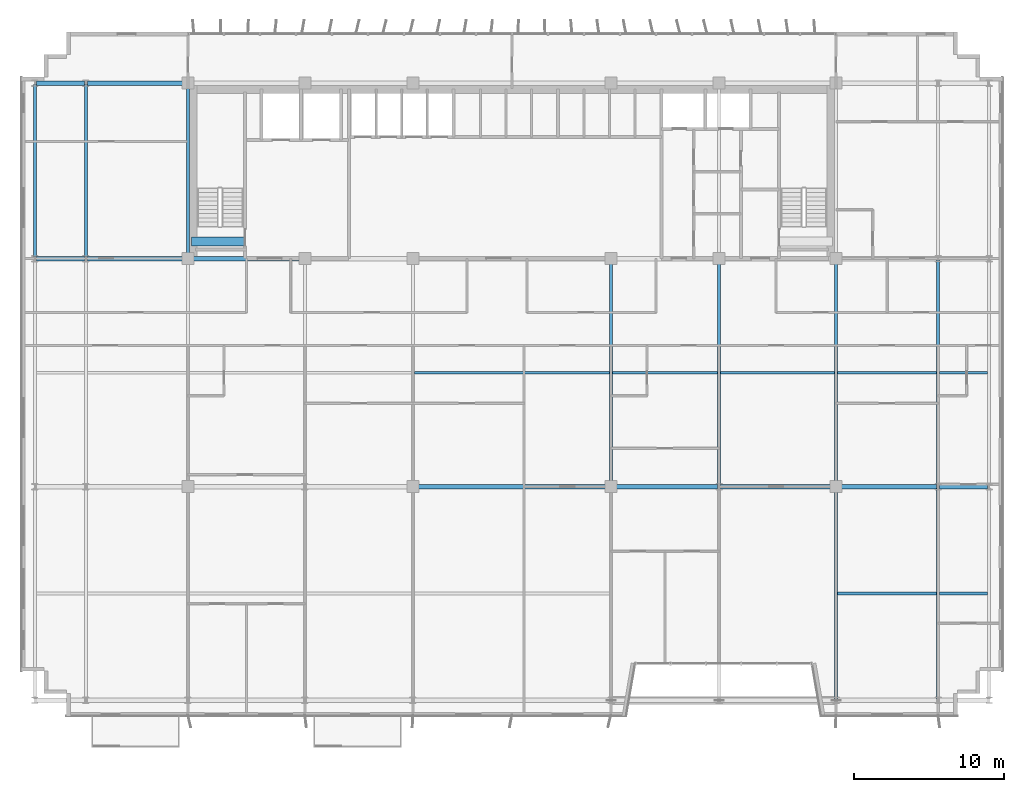
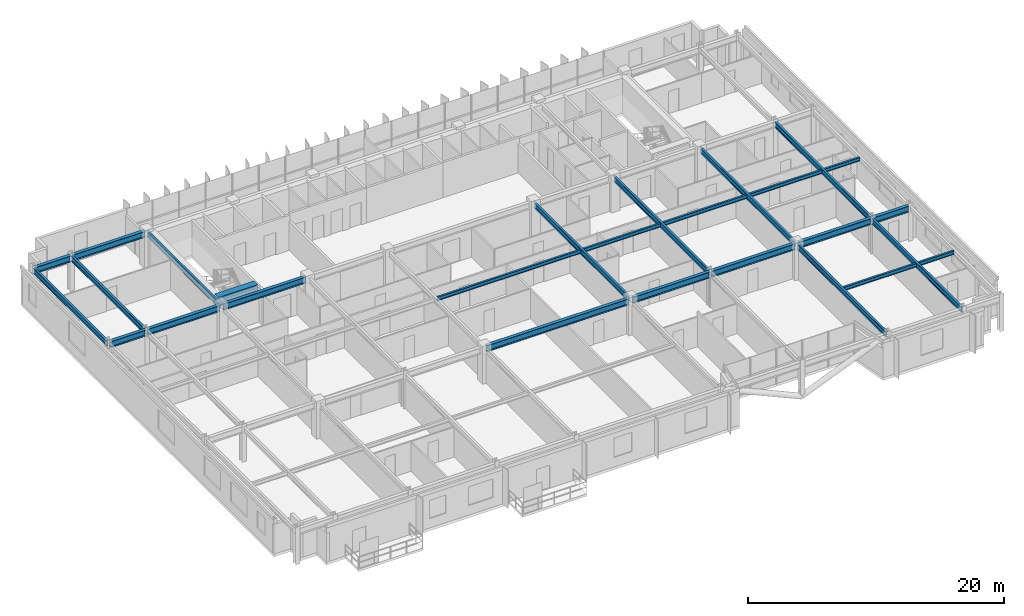
# One storey, part 8 of 26: 27 beams.
"""IFC4 building model written with IfcOpenShell, lengths in metres."""

from ifc_helpers import new_model, si_unit, direction, frame, origin, origin_2d, place, context, subcontext, project, spatial, rectangle, i_section, extrude, source, transform, mapped, material, material_profile, profile_set, type_object, element, save


model = new_model("IFC4")

# Units and contexts
model_context = context("Model", 3, precision=1e-05, world=origin(), true_north=direction((0.0, 1.0)))
body_context = subcontext(model_context, "Body", "Model", "MODEL_VIEW")
ifc_project = project(units=[si_unit("LENGTHUNIT", "METRE"), si_unit("AREAUNIT", "SQUARE_METRE"), si_unit("VOLUMEUNIT", "CUBIC_METRE"), si_unit("PLANEANGLEUNIT", "RADIAN"), si_unit("MASSUNIT", "GRAM", prefix="KILO")], contexts=[model_context])

# Site, building, storey
site_placement = place(None, origin())
site = spatial("IfcSite", under=ifc_project, at=site_placement, CompositionType="ELEMENT")
building_placement = place(site_placement, origin())
building = spatial("IfcBuilding", under=site, at=building_placement, Name="Trelvane Seafront Commons", CompositionType="ELEMENT")
storey_placement = place(building_placement, frame((0.0, 0.0, 124.89990234375)))
storey = spatial("IfcBuildingStorey", under=building, at=storey_placement, Name="L32", CompositionType="ELEMENT", Elevation=124.89990234375)

# Beams
ifc_material_1 = material(Name="Concrete C60/75", Category="concrete")
ifc_material_profile_1 = material_profile(ifc_material_1, rectangle(XDim=0.60009765625, YDim=0.89990234375, at=origin_2d()), Name="RC-600x900")
ifc_profile_set_1 = profile_set([ifc_material_profile_1], Name="Concrete C60/75")
beam_type_1 = type_object("IfcBeamType", Name="STR-LNT-RC600x900", PredefinedType="LINTEL", material=ifc_profile_set_1)
shared_shape_1 = source(origin(), body_context, "Body", "SweptSolid", [
    extrude(rectangle(XDim=0.60009765625, YDim=0.89990234375, at=origin_2d()), origin(), (0.0, 0.0, 1.0), 3.5498046875),
])
beam_1_placement = place(storey_placement, frame((15.85009765625, 34.550048828125, 2.89013671875), z_axis=(1.0, 0.0, 0.0), x_axis=(0.0, 1.0, 0.0)))
element("IfcBeam", 1, at=beam_1_placement, inside=storey, type_object=beam_type_1, Name="L32 Core Coupling Lintel Beam CB-83", PredefinedType="LINTEL", context=body_context, shape_type="MappedRepresentation", body=[
    mapped(shared_shape_1, transform((0.0, 0.0, 0.0), x_axis=(1.0, 0.0, 0.0), y_axis=(0.0, 1.0, 0.0), z_axis=(0.0, 0.0, 1.0), scale=1.0)),
])
ifc_material_2 = material(Name="Steel SM355 (S355)", Category="steel")
ifc_material_profile_2 = material_profile(ifc_material_2, i_section(OverallWidth=0.300048828125, OverallDepth=0.587890625, WebThickness=0.011962890625, FlangeThickness=0.02001953125, at=origin_2d()), Name="H-588x300x12x20")
ifc_profile_set_2 = profile_set([ifc_material_profile_2], Name="Steel SM355 (S355)")
beam_type_2 = type_object("IfcBeamType", Name="STR-BM-H588", PredefinedType="BEAM", material=ifc_profile_set_2)
shared_shape_2 = source(origin(), body_context, "Body", "SweptSolid", [
    extrude(i_section(OverallWidth=0.300048828125, OverallDepth=0.587890625, WebThickness=0.011962890625, FlangeThickness=0.02001953125, at=origin_2d()), origin(), (0.0, 0.0, 1.0), 3.199951171875),
])
for number, where, z_axis, x_axis, name in (
    (2, (65.699951171875, 18.199951171875, 3.046142578125), (1.0, 0.0, 0.0), (0.0, 1.0, 0.0), "L32 Primary Girder G-18"),
    (3, (5.5, 33.39990234375, 3.046142578125), (1.0, 0.0, 0.0), (0.0, 1.0, 0.0), "L32 Primary Girder G-19"),
    (4, (5.5, 45.10009765625, 3.046142578125), (1.0, 0.0, 0.0), (0.0, 1.0, 0.0), "L32 Primary Girder G-28"),
):
    element("IfcBeam", number, at=place(storey_placement, frame(where, z_axis=z_axis, x_axis=x_axis)), inside=storey, type_object=beam_type_2, Name=name, PredefinedType="BEAM", context=body_context, shape_type="MappedRepresentation", body=[
        mapped(shared_shape_2, transform((0.0, 0.0, 0.0), x_axis=(1.0, 0.0, 0.0), y_axis=(0.0, 1.0, 0.0), z_axis=(0.0, 0.0, 1.0), scale=1.0)),
    ])
shared_shape_3 = source(origin(), body_context, "Body", "SweptSolid", [
    extrude(i_section(OverallWidth=0.300048828125, OverallDepth=0.587890625, WebThickness=0.011962890625, FlangeThickness=0.02001953125, at=origin_2d()), origin(), (0.0, 0.0, 1.0), 6.550048828125),
])
for number, where, z_axis, x_axis, name in (
    (5, (58.949951171875, 18.199951171875, 3.046142578125), (1.0, 0.0, 0.0), (0.0, 1.0, 0.0), "L32 Primary Girder G-17"),
    (6, (8.89990234375, 33.39990234375, 3.046142578125), (1.0, 0.0, 0.0), (0.0, 1.0, 0.0), "L32 Primary Girder G-20"),
    (7, (8.89990234375, 45.10009765625, 3.046142578125), (1.0, 0.0, 0.0), (0.0, 1.0, 0.0), "L32 Primary Girder G-29"),
):
    element("IfcBeam", number, at=place(storey_placement, frame(where, z_axis=z_axis, x_axis=x_axis)), inside=storey, type_object=beam_type_2, Name=name, PredefinedType="BEAM", context=body_context, shape_type="MappedRepresentation", body=[
        mapped(shared_shape_3, transform((0.0, 0.0, 0.0), x_axis=(1.0, 0.0, 0.0), y_axis=(0.0, 1.0, 0.0), z_axis=(0.0, 0.0, 1.0), scale=1.0)),
    ])
shared_shape_4 = source(origin(), body_context, "Body", "SweptSolid", [
    extrude(i_section(OverallWidth=0.300048828125, OverallDepth=0.587890625, WebThickness=0.011962890625, FlangeThickness=0.02001953125, at=origin_2d()), origin(), (0.0, 0.0, 1.0), 6.949951171875),
])
beam_2_placement = place(storey_placement, frame((43.949951171875, 18.199951171875, 3.046142578125), z_axis=(1.0, 0.0, 0.0), x_axis=(0.0, 1.0, 0.0)))
element("IfcBeam", 8, at=beam_2_placement, inside=storey, type_object=beam_type_2, Name="L32 Primary Girder G-15", PredefinedType="BEAM", context=body_context, shape_type="MappedRepresentation", body=[
    mapped(shared_shape_4, transform((0.0, 0.0, 0.0), x_axis=(1.0, 0.0, 0.0), y_axis=(0.0, 1.0, 0.0), z_axis=(0.0, 0.0, 1.0), scale=1.0)),
])
shared_shape_5 = source(origin(), body_context, "Body", "SweptSolid", [
    extrude(i_section(OverallWidth=0.300048828125, OverallDepth=0.587890625, WebThickness=0.011962890625, FlangeThickness=0.02001953125, at=origin_2d()), origin(), (0.0, 0.0, 1.0), 12.89990234375),
])
beam_3_placement = place(storey_placement, frame((30.75, 18.199951171875, 3.046142578125), z_axis=(1.0, 0.0, 0.0), x_axis=(0.0, 1.0, 0.0)))
element("IfcBeam", 9, at=beam_3_placement, inside=storey, type_object=beam_type_2, Name="L32 Primary Girder G-14", PredefinedType="BEAM", context=body_context, shape_type="MappedRepresentation", body=[
    mapped(shared_shape_5, transform((0.0, 0.0, 0.0), x_axis=(1.0, 0.0, 0.0), y_axis=(0.0, 1.0, 0.0), z_axis=(0.0, 0.0, 1.0), scale=1.0)),
])
shared_shape_6 = source(origin(), body_context, "Body", "SweptSolid", [
    extrude(i_section(OverallWidth=0.300048828125, OverallDepth=0.587890625, WebThickness=0.011962890625, FlangeThickness=0.02001953125, at=origin_2d()), origin(), (0.0, 0.0, 1.0), 7.5498046875),
])
beam_4_placement = place(storey_placement, frame((51.10009765625, 18.199951171875, 3.046142578125), z_axis=(1.0, 0.0, 0.0), x_axis=(0.0, 1.0, 0.0)))
element("IfcBeam", 10, at=beam_4_placement, inside=storey, type_object=beam_type_2, Name="L32 Primary Girder G-16", PredefinedType="BEAM", context=body_context, shape_type="MappedRepresentation", body=[
    mapped(shared_shape_6, transform((0.0, 0.0, 0.0), x_axis=(1.0, 0.0, 0.0), y_axis=(0.0, 1.0, 0.0), z_axis=(0.0, 0.0, 1.0), scale=1.0)),
])
shared_shape_7 = source(origin(), body_context, "Body", "SweptSolid", [
    extrude(i_section(OverallWidth=0.300048828125, OverallDepth=0.587890625, WebThickness=0.011962890625, FlangeThickness=0.02001953125, at=origin_2d()), origin(), (0.0, 0.0, 1.0), 7.5),
])
beam_5_placement = place(storey_placement, frame((15.75, 33.39990234375, 3.046142578125), z_axis=(1.0, 0.0, 0.0), x_axis=(0.0, 1.0, 0.0)))
element("IfcBeam", 11, at=beam_5_placement, inside=storey, type_object=beam_type_2, Name="L32 Primary Girder G-21", PredefinedType="BEAM", context=body_context, shape_type="MappedRepresentation", body=[
    mapped(shared_shape_7, transform((0.0, 0.0, 0.0), x_axis=(1.0, 0.0, 0.0), y_axis=(0.0, 1.0, 0.0), z_axis=(0.0, 0.0, 1.0), scale=1.0)),
])
ifc_material_profile_3 = material_profile(ifc_material_2, i_section(OverallWidth=0.199951171875, OverallDepth=0.5, WebThickness=0.010009765625, FlangeThickness=0.01611328125, at=origin_2d()), Name="H-500x200x10x16")
ifc_profile_set_3 = profile_set([ifc_material_profile_3], Name="Steel SM355 (S355)")
beam_type_3 = type_object("IfcBeamType", Name="STR-BM-H500", PredefinedType="BEAM", material=ifc_profile_set_3)
shared_shape_8 = source(origin(), body_context, "Body", "SweptSolid", [
    extrude(i_section(OverallWidth=0.199951171875, OverallDepth=0.5, WebThickness=0.010009765625, FlangeThickness=0.01611328125, at=origin_2d()), origin(), (0.0, 0.0, 1.0), 14.050048828125),
])
beam_6_placement = place(storey_placement, frame((65.60009765625, 4.050048828125, 3.090087890625), z_axis=(0.0, 1.0, 0.0), x_axis=(-1.0, 0.0, 0.0)))
element("IfcBeam", 12, at=beam_6_placement, inside=storey, type_object=beam_type_3, Name="L32 Primary Girder G-61", PredefinedType="BEAM", context=body_context, shape_type="MappedRepresentation", body=[
    mapped(shared_shape_8, transform((0.0, 0.0, 0.0), x_axis=(1.0, 0.0, 0.0), y_axis=(0.0, 1.0, 0.0), z_axis=(0.0, 0.0, 1.0), scale=1.0)),
])
shared_shape_9 = source(origin(), body_context, "Body", "SweptSolid", [
    extrude(i_section(OverallWidth=0.199951171875, OverallDepth=0.5, WebThickness=0.010009765625, FlangeThickness=0.01611328125, at=origin_2d()), origin(), (0.0, 0.0, 1.0), 15.0),
])
beam_7_placement = place(storey_placement, frame((65.60009765625, 18.300048828125, 3.090087890625), z_axis=(0.0, 1.0, 0.0), x_axis=(-1.0, 0.0, 0.0)))
element("IfcBeam", 13, at=beam_7_placement, inside=storey, type_object=beam_type_3, Name="L32 Primary Girder G-62", PredefinedType="BEAM", context=body_context, shape_type="MappedRepresentation", body=[
    mapped(shared_shape_9, transform((0.0, 0.0, 0.0), x_axis=(1.0, 0.0, 0.0), y_axis=(0.0, 1.0, 0.0), z_axis=(0.0, 0.0, 1.0), scale=1.0)),
])
shared_shape_10 = source(origin(), body_context, "Body", "SweptSolid", [
    extrude(i_section(OverallWidth=0.199951171875, OverallDepth=0.5, WebThickness=0.010009765625, FlangeThickness=0.01611328125, at=origin_2d()), origin(), (0.0, 0.0, 1.0), 11.5),
])
for number, where, z_axis, x_axis, name in (
    (14, (5.39990234375, 33.5, 3.090087890625), (0.0, 1.0, 0.0), (-1.0, 0.0, 0.0), "L32 Primary Girder G-39"),
    (15, (8.800048828125, 33.5, 3.090087890625), (0.0, 1.0, 0.0), (-1.0, 0.0, 0.0), "L32 Primary Girder G-42"),
):
    element("IfcBeam", number, at=place(storey_placement, frame(where, z_axis=z_axis, x_axis=x_axis)), inside=storey, type_object=beam_type_3, Name=name, PredefinedType="BEAM", context=body_context, shape_type="MappedRepresentation", body=[
        mapped(shared_shape_10, transform((0.0, 0.0, 0.0), x_axis=(1.0, 0.0, 0.0), y_axis=(0.0, 1.0, 0.0), z_axis=(0.0, 0.0, 1.0), scale=1.0)),
    ])
shared_shape_11 = source(origin(), body_context, "Body", "SweptSolid", [
    extrude(i_section(OverallWidth=0.199951171875, OverallDepth=0.5, WebThickness=0.010009765625, FlangeThickness=0.01611328125, at=origin_2d()), origin(), (0.0, 0.0, 1.0), 14.0),
])
beam_8_placement = place(storey_placement, frame((58.800048828125, 4.050048828125, 3.090087890625), z_axis=(0.0, 1.0, 0.0), x_axis=(-1.0, 0.0, 0.0)))
element("IfcBeam", 16, at=beam_8_placement, inside=storey, type_object=beam_type_3, Name="L32 Primary Girder G-58", PredefinedType="BEAM", context=body_context, shape_type="MappedRepresentation", body=[
    mapped(shared_shape_11, transform((0.0, 0.0, 0.0), x_axis=(1.0, 0.0, 0.0), y_axis=(0.0, 1.0, 0.0), z_axis=(0.0, 0.0, 1.0), scale=1.0)),
])
shared_shape_12 = source(origin(), body_context, "Body", "SweptSolid", [
    extrude(i_section(OverallWidth=0.199951171875, OverallDepth=0.5, WebThickness=0.010009765625, FlangeThickness=0.01611328125, at=origin_2d()), origin(), (0.0, 0.0, 1.0), 14.89990234375),
])
for number, where, z_axis, x_axis, name in (
    (17, (43.800048828125, 18.35009765625, 3.090087890625), (0.0, 1.0, 0.0), (-1.0, 0.0, 0.0), "L32 Primary Girder G-53"),
    (18, (58.800048828125, 18.35009765625, 3.090087890625), (0.0, 1.0, 0.0), (-1.0, 0.0, 0.0), "L32 Primary Girder G-59"),
):
    element("IfcBeam", number, at=place(storey_placement, frame(where, z_axis=z_axis, x_axis=x_axis)), inside=storey, type_object=beam_type_3, Name=name, PredefinedType="BEAM", context=body_context, shape_type="MappedRepresentation", body=[
        mapped(shared_shape_12, transform((0.0, 0.0, 0.0), x_axis=(1.0, 0.0, 0.0), y_axis=(0.0, 1.0, 0.0), z_axis=(0.0, 0.0, 1.0), scale=1.0)),
    ])
shared_shape_13 = source(origin(), body_context, "Body", "SweptSolid", [
    extrude(i_section(OverallWidth=0.199951171875, OverallDepth=0.5, WebThickness=0.010009765625, FlangeThickness=0.01611328125, at=origin_2d()), origin(), (0.0, 0.0, 1.0), 11.39990234375),
])
beam_9_placement = place(storey_placement, frame((15.60009765625, 33.550048828125, 3.090087890625), z_axis=(0.0, 1.0, 0.0), x_axis=(-1.0, 0.0, 0.0)))
element("IfcBeam", 19, at=beam_9_placement, inside=storey, type_object=beam_type_3, Name="L32 Primary Girder G-45", PredefinedType="BEAM", context=body_context, shape_type="MappedRepresentation", body=[
    mapped(shared_shape_13, transform((0.0, 0.0, 0.0), x_axis=(1.0, 0.0, 0.0), y_axis=(0.0, 1.0, 0.0), z_axis=(0.0, 0.0, 1.0), scale=1.0)),
])
shared_shape_14 = source(origin(), body_context, "Body", "SweptSolid", [
    extrude(i_section(OverallWidth=0.199951171875, OverallDepth=0.5, WebThickness=0.010009765625, FlangeThickness=0.01611328125, at=origin_2d()), origin(), (0.0, 0.0, 1.0), 14.949951171875),
])
beam_10_placement = place(storey_placement, frame((51.0, 18.300048828125, 3.090087890625), z_axis=(0.0, 1.0, 0.0), x_axis=(-1.0, 0.0, 0.0)))
element("IfcBeam", 20, at=beam_10_placement, inside=storey, type_object=beam_type_3, Name="L32 Primary Girder G-56", PredefinedType="BEAM", context=body_context, shape_type="MappedRepresentation", body=[
    mapped(shared_shape_14, transform((0.0, 0.0, 0.0), x_axis=(1.0, 0.0, 0.0), y_axis=(0.0, 1.0, 0.0), z_axis=(0.0, 0.0, 1.0), scale=1.0)),
])
ifc_material_profile_4 = material_profile(ifc_material_2, i_section(OverallWidth=0.175048828125, OverallDepth=0.35009765625, WebThickness=0.007080078125, FlangeThickness=0.010986328125, at=origin_2d()), Name="H-350x175x7x11")
ifc_profile_set_4 = profile_set([ifc_material_profile_4], Name="Steel SM355 (S355)")
beam_type_4 = type_object("IfcBeamType", Name="STR-JST-H350", PredefinedType="JOIST", material=ifc_profile_set_4)
shared_shape_15 = source(origin(), body_context, "Body", "SweptSolid", [
    extrude(i_section(OverallWidth=0.175048828125, OverallDepth=0.35009765625, WebThickness=0.007080078125, FlangeThickness=0.010986328125, at=origin_2d()), origin(), (0.0, 0.0, 1.0), 3.199951171875),
])
for number, where, z_axis, x_axis, name in (
    (21, (65.699951171875, 11.074951171875, 3.1650390625), (1.0, 0.0, 0.0), (0.0, 1.0, 0.0), "L32 Secondary Floor Joist B-73"),
    (22, (65.699951171875, 25.800048828125, 3.1650390625), (1.0, 0.0, 0.0), (0.0, 1.0, 0.0), "L32 Secondary Floor Joist B-82"),
):
    element("IfcBeam", number, at=place(storey_placement, frame(where, z_axis=z_axis, x_axis=x_axis)), inside=storey, type_object=beam_type_4, Name=name, PredefinedType="JOIST", context=body_context, shape_type="MappedRepresentation", body=[
        mapped(shared_shape_15, transform((0.0, 0.0, 0.0), x_axis=(1.0, 0.0, 0.0), y_axis=(0.0, 1.0, 0.0), z_axis=(0.0, 0.0, 1.0), scale=1.0)),
    ])
shared_shape_16 = source(origin(), body_context, "Body", "SweptSolid", [
    extrude(i_section(OverallWidth=0.175048828125, OverallDepth=0.35009765625, WebThickness=0.007080078125, FlangeThickness=0.010986328125, at=origin_2d()), origin(), (0.0, 0.0, 1.0), 6.60009765625),
])
for number, where, z_axis, x_axis, name in (
    (23, (58.89990234375, 11.074951171875, 3.1650390625), (1.0, 0.0, 0.0), (0.0, 1.0, 0.0), "L32 Secondary Floor Joist B-72"),
    (24, (58.89990234375, 25.800048828125, 3.1650390625), (1.0, 0.0, 0.0), (0.0, 1.0, 0.0), "L32 Secondary Floor Joist B-81"),
):
    element("IfcBeam", number, at=place(storey_placement, frame(where, z_axis=z_axis, x_axis=x_axis)), inside=storey, type_object=beam_type_4, Name=name, PredefinedType="JOIST", context=body_context, shape_type="MappedRepresentation", body=[
        mapped(shared_shape_16, transform((0.0, 0.0, 0.0), x_axis=(1.0, 0.0, 0.0), y_axis=(0.0, 1.0, 0.0), z_axis=(0.0, 0.0, 1.0), scale=1.0)),
    ])
shared_shape_17 = source(origin(), body_context, "Body", "SweptSolid", [
    extrude(i_section(OverallWidth=0.175048828125, OverallDepth=0.35009765625, WebThickness=0.007080078125, FlangeThickness=0.010986328125, at=origin_2d()), origin(), (0.0, 0.0, 1.0), 7.0),
])
beam_11_placement = place(storey_placement, frame((43.89990234375, 25.800048828125, 3.1650390625), z_axis=(1.0, 0.0, 0.0), x_axis=(0.0, 1.0, 0.0)))
element("IfcBeam", 25, at=beam_11_placement, inside=storey, type_object=beam_type_4, Name="L32 Secondary Floor Joist B-79", PredefinedType="JOIST", context=body_context, shape_type="MappedRepresentation", body=[
    mapped(shared_shape_17, transform((0.0, 0.0, 0.0), x_axis=(1.0, 0.0, 0.0), y_axis=(0.0, 1.0, 0.0), z_axis=(0.0, 0.0, 1.0), scale=1.0)),
])
shared_shape_18 = source(origin(), body_context, "Body", "SweptSolid", [
    extrude(i_section(OverallWidth=0.175048828125, OverallDepth=0.35009765625, WebThickness=0.007080078125, FlangeThickness=0.010986328125, at=origin_2d()), origin(), (0.0, 0.0, 1.0), 13.0),
])
beam_12_placement = place(storey_placement, frame((30.699951171875, 25.800048828125, 3.1650390625), z_axis=(1.0, 0.0, 0.0), x_axis=(0.0, 1.0, 0.0)))
element("IfcBeam", 26, at=beam_12_placement, inside=storey, type_object=beam_type_4, Name="L32 Secondary Floor Joist B-78", PredefinedType="JOIST", context=body_context, shape_type="MappedRepresentation", body=[
    mapped(shared_shape_18, transform((0.0, 0.0, 0.0), x_axis=(1.0, 0.0, 0.0), y_axis=(0.0, 1.0, 0.0), z_axis=(0.0, 0.0, 1.0), scale=1.0)),
])
shared_shape_19 = source(origin(), body_context, "Body", "SweptSolid", [
    extrude(i_section(OverallWidth=0.175048828125, OverallDepth=0.35009765625, WebThickness=0.007080078125, FlangeThickness=0.010986328125, at=origin_2d()), origin(), (0.0, 0.0, 1.0), 7.599853515625),
])
beam_13_placement = place(storey_placement, frame((51.10009765625, 25.800048828125, 3.1650390625), z_axis=(1.0, 0.0, 0.0), x_axis=(0.0, 1.0, 0.0)))
element("IfcBeam", 27, at=beam_13_placement, inside=storey, type_object=beam_type_4, Name="L32 Secondary Floor Joist B-80", PredefinedType="JOIST", context=body_context, shape_type="MappedRepresentation", body=[
    mapped(shared_shape_19, transform((0.0, 0.0, 0.0), x_axis=(1.0, 0.0, 0.0), y_axis=(0.0, 1.0, 0.0), z_axis=(0.0, 0.0, 1.0), scale=1.0)),
])

save(model, "model.ifc")
